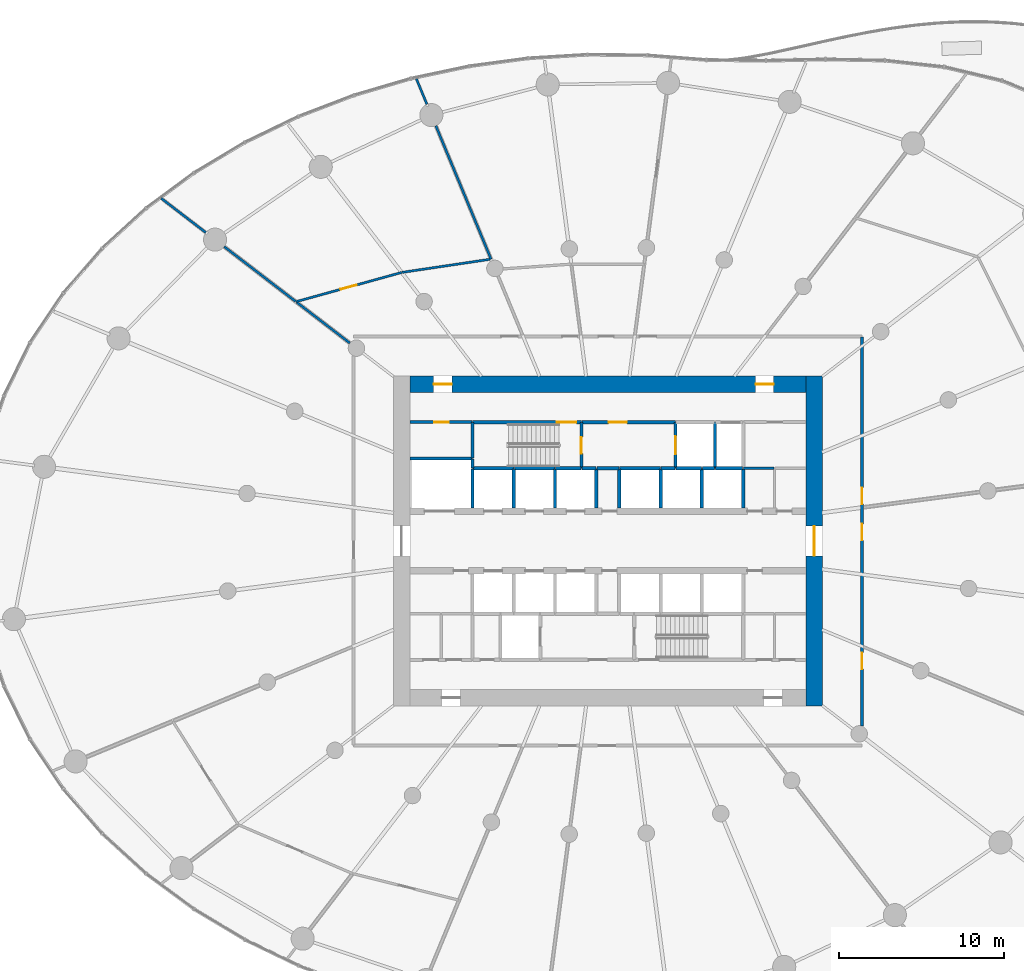
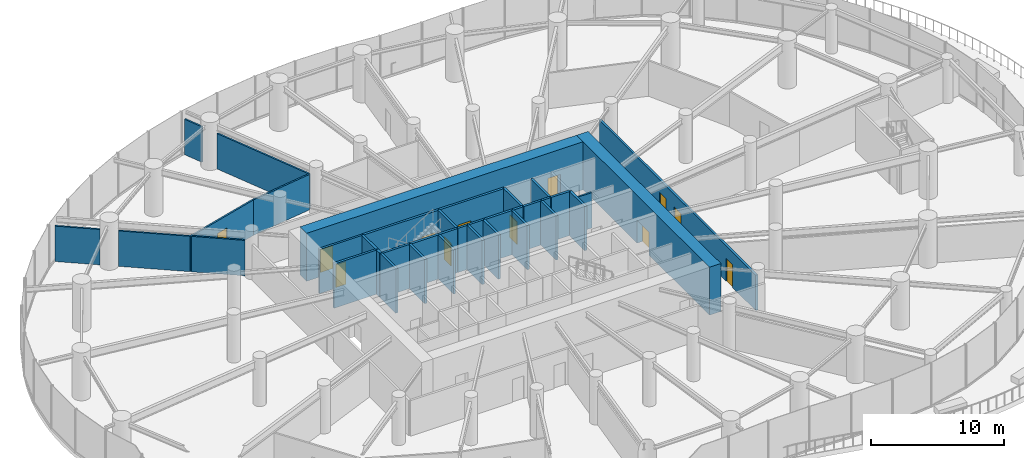
# One storey, part 13 of 19: 38 walls, 12 doors, 12 openings.
"""IFC4 building model written with IfcOpenShell, lengths in metres."""

from ifc_helpers import new_model, si_unit, direction, frame, frame_2d, origin, place, context, subcontext, project, spatial, rectangle, extrude, source, transform, mapped, material, layer, layer_set, type_object, element, fill, save


model = new_model("IFC4")

# Units and contexts
model_context = context("Model", 3, precision=1e-05, world=origin(), true_north=direction((0.0, 1.0)))
body_context = subcontext(model_context, "Body", "Model", "MODEL_VIEW")
ifc_project = project(units=[si_unit("LENGTHUNIT", "METRE"), si_unit("AREAUNIT", "SQUARE_METRE"), si_unit("VOLUMEUNIT", "CUBIC_METRE"), si_unit("PLANEANGLEUNIT", "RADIAN"), si_unit("MASSUNIT", "GRAM", prefix="KILO")], contexts=[model_context])

# Site, building, storey
site_placement = place(None, origin())
site = spatial("IfcSite", under=ifc_project, at=site_placement, CompositionType="ELEMENT")
building_placement = place(site_placement, origin())
building = spatial("IfcBuilding", under=site, at=building_placement, Name="Spindrift Exchange Tower", CompositionType="ELEMENT")
storey_placement = place(building_placement, frame((0.0, 0.0, 13.800048828125)))
storey = spatial("IfcBuildingStorey", under=building, at=storey_placement, Name="L03", CompositionType="ELEMENT", Elevation=13.800048828125)

# Wall, opening, door
ifc_material_1 = material(Name="Concrete 80 MPa", Category="concrete")
ifc_layer_1 = layer(ifc_material_1, 1.0)
ifc_layer_set_1 = layer_set([ifc_layer_1], Name="RC Core Wall 1000 Concrete 80 MPa")
wall_type_1 = type_object("IfcWallType", Name="RC Core Wall 1000 Concrete 80 MPa", PredefinedType="SHEAR", material=ifc_layer_set_1)
wall_1_placement = place(storey_placement, frame((64.5, 38.0, 0.0), z_axis=(0.0, 0.0, 1.0), x_axis=(0.0, 1.0, 0.0)))
wall_1 = element("IfcWall", 1, at=wall_1_placement, inside=storey, type_object=wall_type_1, Name="Core wall E L03", PredefinedType="SHEAR", context=body_context, shape_type="SweptSolid", body=[
    extrude(rectangle(XDim=20.0, YDim=1.0, at=frame_2d((10.0, 0.0))), origin(), (0.0, 0.0, 1.0), 4.39990234375),
])
opening_1_placement = place(wall_1_placement, frame((9.10009765625, 0.0, 0.0)))
opening_1 = element("IfcOpeningElement", 2, at=opening_1_placement, cuts=wall_1, Name="Opening L03-D2", PredefinedType="OPENING", context=body_context, shape_type="SweptSolid", body=[
    extrude(rectangle(XDim=1.800048828125, YDim=2.10009765625, at=frame_2d((0.89990234375, 1.050048828125))), frame((0.0, 0.510009765625, 0.0), z_axis=(0.0, -1.0, 0.0), x_axis=(1.0, 0.0, 0.0)), (0.0, 0.0, 1.0), 1.02001953125),
])
ifc_material_2 = material(Name="Timber-core fire door", Category="wood")
door_type_1 = type_object("IfcDoorType", Name="DR-LOBBY-1800", OperationType="NOTDEFINED", PredefinedType="DOOR", material=ifc_material_2)
shared_shape_1 = source(origin(), body_context, "Body", "SweptSolid", [
    extrude(rectangle(XDim=1.800048828125, YDim=2.10009765625, at=frame_2d((0.89990234375, 1.050048828125))), frame((0.0, 0.02490234375, 0.0), z_axis=(0.0, -1.0, 0.0), x_axis=(1.0, 0.0, 0.0)), (0.0, 0.0, 1.0), 0.050048828125),
])
door_1_placement = place(opening_1_placement, origin())
door_1 = element("IfcDoor", 3, at=door_1_placement, inside=storey, type_object=door_type_1, Name="L03 Lobby door 2", OperationType="SINGLE_SWING_RIGHT", OverallHeight=2.10009765625, OverallWidth=1.800048828125, PredefinedType="DOOR", context=body_context, shape_type="MappedRepresentation", body=[
    mapped(shared_shape_1, transform((0.0, 0.0, 0.0), scale=1.0)),
])
fill(opening_1, door_1)

# Wall, openings, doors
wall_2_placement = place(storey_placement, frame((64.0, 57.5, 0.0), z_axis=(0.0, 0.0, 1.0), x_axis=(-1.0, 0.0, 0.0)))
wall_2 = element("IfcWall", 4, at=wall_2_placement, inside=storey, type_object=wall_type_1, Name="Core wall N L03", PredefinedType="SHEAR", context=body_context, shape_type="SweptSolid", body=[
    extrude(rectangle(XDim=24.0, YDim=1.0, at=frame_2d((12.0, 0.0))), origin(), (0.0, 0.0, 1.0), 4.39990234375),
])
opening_2_placement = place(wall_2_placement, frame((21.449951171875, 0.0, 0.0)))
opening_2 = element("IfcOpeningElement", 5, at=opening_2_placement, cuts=wall_2, Name="Opening L03-D20", PredefinedType="OPENING", context=body_context, shape_type="SweptSolid", body=[
    extrude(rectangle(XDim=1.10009765625, YDim=2.10009765625, at=frame_2d((0.550048828125, 1.050048828125))), frame((0.0, 0.510009765625, 0.0), z_axis=(0.0, -1.0, 0.0), x_axis=(1.0, 0.0, 0.0)), (0.0, 0.0, 1.0), 1.02001953125),
])
opening_3_placement = place(wall_2_placement, frame((1.949951171875, 0.0, 0.0)))
opening_3 = element("IfcOpeningElement", 6, at=opening_3_placement, cuts=wall_2, Name="Opening L03-D21", PredefinedType="OPENING", context=body_context, shape_type="SweptSolid", body=[
    extrude(rectangle(XDim=1.10009765625, YDim=2.10009765625, at=frame_2d((0.550048828125, 1.050048828125))), frame((0.0, 0.510009765625, 0.0), z_axis=(0.0, -1.0, 0.0), x_axis=(1.0, 0.0, 0.0)), (0.0, 0.0, 1.0), 1.02001953125),
])
ifc_material_3 = material(Name="Steel fire door", Category="steel")
door_type_2 = type_object("IfcDoorType", Name="DR-STAIR-1100", OperationType="NOTDEFINED", PredefinedType="DOOR", material=ifc_material_3)
shared_shape_2 = source(origin(), body_context, "Body", "SweptSolid", [
    extrude(rectangle(XDim=1.10009765625, YDim=2.10009765625, at=frame_2d((0.550048828125, 1.050048828125))), frame((0.0, 0.02490234375, 0.0), z_axis=(0.0, -1.0, 0.0), x_axis=(1.0, 0.0, 0.0)), (0.0, 0.0, 1.0), 0.050048828125),
])
door_2_placement = place(opening_2_placement, origin())
door_2 = element("IfcDoor", 7, at=door_2_placement, inside=storey, type_object=door_type_2, Name="L03 Stair door 20", OperationType="SINGLE_SWING_RIGHT", OverallHeight=2.10009765625, OverallWidth=1.10009765625, PredefinedType="DOOR", context=body_context, shape_type="MappedRepresentation", body=[
    mapped(shared_shape_2, transform((0.0, 0.0, 0.0), scale=1.0)),
])
fill(opening_2, door_2)
door_3_placement = place(opening_3_placement, origin())
door_3 = element("IfcDoor", 8, at=door_3_placement, inside=storey, type_object=door_type_2, Name="L03 Stair door 21", OperationType="SINGLE_SWING_LEFT", OverallHeight=2.10009765625, OverallWidth=1.10009765625, PredefinedType="DOOR", context=body_context, shape_type="MappedRepresentation", body=[
    mapped(shared_shape_2, transform((0.0, 0.0, 0.0), scale=1.0)),
])
fill(opening_3, door_3)

ifc_material_4 = material(Name="Fire-rated plasterboard partition", Category="gypsum")
ifc_layer_2 = layer(ifc_material_4, 0.179931640625)
ifc_layer_set_2 = layer_set([ifc_layer_2], Name="W-CORR-180")
wall_type_2 = type_object("IfcWallType", Name="W-CORR-180", PredefinedType="PARTITIONING", material=ifc_layer_set_2)
wall_3_placement = place(storey_placement, frame((67.39990234375, 60.3701171875, 0.0), z_axis=(0.0, 0.0, 1.0), x_axis=(0.0, -1.0, 0.0)))
wall_3 = element("IfcWall", 9, at=wall_3_placement, inside=storey, type_object=wall_type_2, Name="L03 Partition wall 63", PredefinedType="PARTITIONING", context=body_context, shape_type="SweptSolid", body=[
    extrude(rectangle(XDim=23.58251953125, YDim=0.179931640625, at=frame_2d((11.791259765625, 0.0))), origin(), (0.0, 0.0, 1.0), 3.25),
])
opening_4_placement = place(wall_3_placement, frame((11.33251953125, 0.0, 0.0)))
opening_4 = element("IfcOpeningElement", 10, at=opening_4_placement, cuts=wall_3, Name="Opening L03-D24", PredefinedType="OPENING", context=body_context, shape_type="SweptSolid", body=[
    extrude(rectangle(XDim=1.0, YDim=2.10009765625, at=frame_2d((0.5, 1.050048828125))), frame((0.0, 0.099853515625, 0.0), z_axis=(0.0, -1.0, 0.0), x_axis=(1.0, 0.0, 0.0)), (0.0, 0.0, 1.0), 0.199951171875),
])
opening_5_placement = place(wall_3_placement, frame((9.132568359375, 0.0, 0.0)))
opening_5 = element("IfcOpeningElement", 11, at=opening_5_placement, cuts=wall_3, Name="Opening L03-D25", PredefinedType="OPENING", context=body_context, shape_type="SweptSolid", body=[
    extrude(rectangle(XDim=1.0, YDim=2.10009765625, at=frame_2d((0.5, 1.050048828125))), frame((0.0, 0.099853515625, 0.0), z_axis=(0.0, -1.0, 0.0), x_axis=(1.0, 0.0, 0.0)), (0.0, 0.0, 1.0), 0.199951171875),
])
opening_6_placement = place(wall_3_placement, frame((19.132568359375, 0.0, 0.0)))
opening_6 = element("IfcOpeningElement", 12, at=opening_6_placement, cuts=wall_3, Name="Opening L03-D40", PredefinedType="OPENING", context=body_context, shape_type="SweptSolid", body=[
    extrude(rectangle(XDim=1.0, YDim=2.10009765625, at=frame_2d((0.5, 1.050048828125))), frame((0.0, 0.099853515625, 0.0), z_axis=(0.0, -1.0, 0.0), x_axis=(1.0, 0.0, 0.0)), (0.0, 0.0, 1.0), 0.199951171875),
])
door_type_3 = type_object("IfcDoorType", Name="DR-ROOM-1000", OperationType="NOTDEFINED", PredefinedType="DOOR", material=ifc_material_2)
shared_shape_3 = source(origin(), body_context, "Body", "SweptSolid", [
    extrude(rectangle(XDim=1.0, YDim=2.10009765625, at=frame_2d((0.5, 1.050048828125))), frame((0.0, 0.02490234375, 0.0), z_axis=(0.0, -1.0, 0.0), x_axis=(1.0, 0.0, 0.0)), (0.0, 0.0, 1.0), 0.050048828125),
])
door_4_placement = place(opening_4_placement, origin())
door_4 = element("IfcDoor", 13, at=door_4_placement, inside=storey, type_object=door_type_3, Name="L03 Door 24", OperationType="SINGLE_SWING_RIGHT", OverallHeight=2.10009765625, OverallWidth=1.0, PredefinedType="DOOR", context=body_context, shape_type="MappedRepresentation", body=[
    mapped(shared_shape_3, transform((0.0, 0.0, 0.0), scale=1.0)),
])
fill(opening_4, door_4)
door_5_placement = place(opening_5_placement, origin())
door_5 = element("IfcDoor", 14, at=door_5_placement, inside=storey, type_object=door_type_3, Name="L03 Door 25", OperationType="SINGLE_SWING_LEFT", OverallHeight=2.10009765625, OverallWidth=1.0, PredefinedType="DOOR", context=body_context, shape_type="MappedRepresentation", body=[
    mapped(shared_shape_3, transform((0.0, 0.0, 0.0), scale=1.0)),
])
fill(opening_5, door_5)
door_6_placement = place(opening_6_placement, origin())
door_6 = element("IfcDoor", 15, at=door_6_placement, inside=storey, type_object=door_type_3, Name="L03 Door 40", OperationType="SINGLE_SWING_RIGHT", OverallHeight=2.10009765625, OverallWidth=1.0, PredefinedType="DOOR", context=body_context, shape_type="MappedRepresentation", body=[
    mapped(shared_shape_3, transform((0.0, 0.0, 0.0), scale=1.0)),
])
fill(opening_6, door_6)

# Wall, opening, door
wall_4_placement = place(storey_placement, frame((43.77001953125, 55.199951171875, 0.0), z_axis=(0.0, 0.0, 1.0), x_axis=(-1.0, 0.0, 0.0)))
wall_4 = element("IfcWall", 16, at=wall_4_placement, inside=storey, type_object=wall_type_2, Name="L03 Partition wall 66", PredefinedType="PARTITIONING", context=body_context, shape_type="SweptSolid", body=[
    extrude(rectangle(XDim=3.75, YDim=0.179931640625, at=frame_2d((1.875, 0.0))), origin(), (0.0, 0.0, 1.0), 4.050048828125),
])
opening_7_placement = place(wall_4_placement, frame((1.39990234375, 0.0, 0.0)))
opening_7 = element("IfcOpeningElement", 17, at=opening_7_placement, cuts=wall_4, Name="Opening L03-D42", PredefinedType="OPENING", context=body_context, shape_type="SweptSolid", body=[
    extrude(rectangle(XDim=0.89990234375, YDim=2.10009765625, at=frame_2d((0.449951171875, 1.050048828125))), frame((0.0, 0.099853515625, 0.0), z_axis=(0.0, -1.0, 0.0), x_axis=(1.0, 0.0, 0.0)), (0.0, 0.0, 1.0), 0.199951171875),
])
ifc_material_5 = material(Name="Steel access door", Category="steel")
door_type_4 = type_object("IfcDoorType", Name="DR-RISER-900", OperationType="NOTDEFINED", PredefinedType="DOOR", material=ifc_material_5)
shared_shape_4 = source(origin(), body_context, "Body", "SweptSolid", [
    extrude(rectangle(XDim=0.89990234375, YDim=2.10009765625, at=frame_2d((0.449951171875, 1.050048828125))), frame((0.0, 0.02490234375, 0.0), z_axis=(0.0, -1.0, 0.0), x_axis=(1.0, 0.0, 0.0)), (0.0, 0.0, 1.0), 0.050048828125),
])
door_7_placement = place(opening_7_placement, origin())
door_7 = element("IfcDoor", 18, at=door_7_placement, inside=storey, type_object=door_type_4, Name="L03 Riser door 42", OperationType="SINGLE_SWING_RIGHT", OverallHeight=2.10009765625, OverallWidth=0.89990234375, PredefinedType="DOOR", context=body_context, shape_type="MappedRepresentation", body=[
    mapped(shared_shape_4, transform((0.0, 0.0, 0.0), scale=1.0)),
])
fill(opening_7, door_7)

# Walls
ifc_layer_3 = layer(ifc_material_4, 0.139892578125)
ifc_layer_set_3 = layer_set([ifc_layer_3], Name="W-PART-140")
wall_type_3 = type_object("IfcWallType", Name="W-PART-140", PredefinedType="PARTITIONING", material=ifc_layer_set_3)
wall_5_placement = place(storey_placement, frame((33.078369140625, 62.51904296875, 0.0), z_axis=(0.0, 0.0, 1.0), x_axis=(-0.793366729699, 0.608743979196, 0.0)))
element("IfcWall", 19, at=wall_5_placement, inside=storey, type_object=wall_type_3, Name="L03 Partition wall 86", PredefinedType="PARTITIONING", context=body_context, shape_type="SweptSolid", body=[
    extrude(rectangle(XDim=5.445556640625, YDim=0.139892578125, at=frame_2d((2.72265625, 0.0))), origin(), (0.0, 0.0, 1.0), 3.25),
])
wall_6_placement = place(storey_placement, frame((27.640625, 66.69140625, 0.0), z_axis=(0.0, 0.0, 1.0), x_axis=(-0.793332688102, 0.60878834252, 0.0)))
element("IfcWall", 20, at=wall_6_placement, inside=storey, type_object=wall_type_3, Name="L03 Partition wall 106", PredefinedType="PARTITIONING", context=body_context, shape_type="SweptSolid", body=[
    extrude(rectangle(XDim=3.40380859375, YDim=0.139892578125, at=frame_2d((1.701904296875, 0.0))), origin(), (0.0, 0.0, 1.0), 3.25),
])
wall_7_placement = place(storey_placement, frame((62.070068359375, 52.39990234375, 0.0), z_axis=(0.0, 0.0, 1.0), x_axis=(-1.0, 0.0, 0.0)))
element("IfcWall", 21, at=wall_7_placement, inside=storey, type_object=wall_type_3, Name="L03 Partition wall 115", PredefinedType="PARTITIONING", context=body_context, shape_type="SweptSolid", body=[
    extrude(rectangle(XDim=1.840087890625, YDim=0.139892578125, at=frame_2d((0.919921875, 0.0))), origin(), (0.0, 0.0, 1.0), 3.25),
])
ifc_layer_4 = layer(ifc_material_4, 0.139892578125)
ifc_layer_set_4 = layer_set([ifc_layer_4], Name="W-PLANT-140")
wall_type_4 = type_object("IfcWallType", Name="W-PLANT-140", PredefinedType="PARTITIONING", material=ifc_layer_set_4)
wall_8_placement = place(storey_placement, frame((44.9248046875, 65.081298828125, 0.0), z_axis=(0.0, 0.0, 1.0), x_axis=(-0.382688905141, 0.923877265594, 0.0)))
element("IfcWall", 22, at=wall_8_placement, inside=storey, type_object=wall_type_4, Name="L03 Partition wall 73", PredefinedType="PARTITIONING", context=body_context, shape_type="SweptSolid", body=[
    extrude(rectangle(XDim=8.741455078125, YDim=0.139892578125, at=frame_2d((4.37060546875, 0.0))), origin(), (0.0, 0.0, 1.0), 3.25),
])

# Wall, opening, door
wall_9_placement = place(storey_placement, frame((33.10205078125, 62.5009765625, 0.0), z_axis=(0.0, 0.0, 1.0), x_axis=(0.963795064715, 0.266644094687, 0.0)))
wall_9 = element("IfcWall", 23, at=wall_9_placement, inside=storey, type_object=wall_type_4, Name="L03 Partition wall 82", PredefinedType="PARTITIONING", context=body_context, shape_type="SweptSolid", body=[
    extrude(rectangle(XDim=6.65087890625, YDim=0.139892578125, at=frame_2d((3.325439453125, 0.0))), origin(), (0.0, 0.0, 1.0), 3.25),
])
opening_8_placement = place(wall_9_placement, frame((2.801025390625, 0.0, 0.0)))
opening_8 = element("IfcOpeningElement", 24, at=opening_8_placement, cuts=wall_9, Name="Opening L03-D31", PredefinedType="OPENING", context=body_context, shape_type="SweptSolid", body=[
    extrude(rectangle(XDim=1.0, YDim=2.10009765625, at=frame_2d((0.5, 1.050048828125))), frame((0.0, 0.079833984375, 0.0), z_axis=(0.0, -1.0, 0.0), x_axis=(1.0, 0.0, 0.0)), (0.0, 0.0, 1.0), 0.159912109375),
])
door_8_placement = place(opening_8_placement, origin())
door_8 = element("IfcDoor", 25, at=door_8_placement, inside=storey, type_object=door_type_3, Name="L03 Door 31", OperationType="SINGLE_SWING_LEFT", OverallHeight=2.10009765625, OverallWidth=1.0, PredefinedType="DOOR", context=body_context, shape_type="MappedRepresentation", body=[
    mapped(shared_shape_3, transform((0.0, 0.0, 0.0), scale=1.0)),
])
fill(opening_8, door_8)

# Walls
wall_10_placement = place(storey_placement, frame((44.853515625, 65.070556640625, 0.0), z_axis=(0.0, 0.0, 1.0), x_axis=(-0.989071989563, -0.147433372962, 0.0)))
element("IfcWall", 26, at=wall_10_placement, inside=storey, type_object=wall_type_4, Name="L03 Partition wall 87", PredefinedType="PARTITIONING", context=body_context, shape_type="SweptSolid", body=[
    extrude(rectangle(XDim=5.3701171875, YDim=0.139892578125, at=frame_2d((2.68505859375, 0.0))), origin(), (0.0, 0.0, 1.0), 3.25),
])
wall_11_placement = place(storey_placement, frame((36.367431640625, 59.995361328125, 0.0), z_axis=(0.0, 0.0, 1.0), x_axis=(-0.793362422365, 0.608749592837, 0.0)))
element("IfcWall", 27, at=wall_11_placement, inside=storey, type_object=wall_type_4, Name="L03 Partition wall 103", PredefinedType="PARTITIONING", context=body_context, shape_type="SweptSolid", body=[
    extrude(rectangle(XDim=4.028076171875, YDim=0.139892578125, at=frame_2d((2.01416015625, 0.0))), origin(), (0.0, 0.0, 1.0), 3.25),
])
wall_12_placement = place(storey_placement, frame((41.039794921875, 74.4599609375, 0.0), z_axis=(0.0, 0.0, 1.0), x_axis=(-0.382571117301, 0.923926046936, 0.0)))
element("IfcWall", 28, at=wall_12_placement, inside=storey, type_object=wall_type_4, Name="L03 Partition wall 119", PredefinedType="PARTITIONING", context=body_context, shape_type="SweptSolid", body=[
    extrude(rectangle(XDim=1.67138671875, YDim=0.139892578125, at=frame_2d((0.835693359375, 0.0))), origin(), (0.0, 0.0, 1.0), 3.25),
])

# Wall, opening, door
ifc_material_6 = material(Name="Concrete 40 MPa", Category="concrete")
ifc_layer_5 = layer(ifc_material_6, 0.199951171875)
ifc_layer_set_5 = layer_set([ifc_layer_5], Name="W-SHAFT-200")
wall_type_5 = type_object("IfcWallType", Name="W-SHAFT-200", PredefinedType="SOLIDWALL", material=ifc_layer_set_5)
wall_13_placement = place(storey_placement, frame((56.10009765625, 55.169921875, 0.0), z_axis=(0.0, 0.0, 1.0), x_axis=(0.0, -1.0, 0.0)))
wall_13 = element("IfcWall", 29, at=wall_13_placement, inside=storey, type_object=wall_type_5, Name="L03 Shaft wall 14", PredefinedType="SOLIDWALL", context=body_context, shape_type="SweptSolid", body=[
    extrude(rectangle(XDim=2.77001953125, YDim=0.199951171875, at=frame_2d((1.385009765625, 0.0))), origin(), (0.0, 0.0, 1.0), 4.050048828125),
])
opening_9_placement = place(wall_13_placement, frame((0.820068359375, 0.0, 0.0)))
opening_9 = element("IfcOpeningElement", 30, at=opening_9_placement, cuts=wall_13, Name="Opening L03-D9", PredefinedType="OPENING", context=body_context, shape_type="SweptSolid", body=[
    extrude(rectangle(XDim=1.10009765625, YDim=2.10009765625, at=frame_2d((0.550048828125, 1.050048828125))), frame((0.0, 0.10986328125, 0.0), z_axis=(0.0, -1.0, 0.0), x_axis=(1.0, 0.0, 0.0)), (0.0, 0.0, 1.0), 0.219970703125),
])
ifc_material_7 = material(Name="Stainless steel landing door", Category="steel")
door_type_5 = type_object("IfcDoorType", Name="DR-LANDING-1100-SL", OperationType="DOUBLE_DOOR_SLIDING", PredefinedType="USERDEFINED", material=ifc_material_7)
shared_shape_5 = source(origin(), body_context, "Body", "SweptSolid", [
    extrude(rectangle(XDim=1.10009765625, YDim=2.10009765625, at=frame_2d((0.550048828125, 1.050048828125))), frame((0.0, 0.02490234375, 0.0), z_axis=(0.0, -1.0, 0.0), x_axis=(1.0, 0.0, 0.0)), (0.0, 0.0, 1.0), 0.050048828125),
])
door_9_placement = place(opening_9_placement, origin())
door_9 = element("IfcDoor", 31, at=door_9_placement, inside=storey, type_object=door_type_5, Name="L03 Lift landing door 9", ObjectType="LANDING DOOR", OperationType="DOUBLE_DOOR_SLIDING", OverallHeight=2.10009765625, OverallWidth=1.10009765625, PredefinedType="USERDEFINED", context=body_context, shape_type="MappedRepresentation", body=[
    mapped(shared_shape_5, transform((0.0, 0.0, 0.0), scale=1.0)),
])
fill(opening_9, door_9)

# Walls
wall_14_placement = place(storey_placement, frame((58.5, 52.39990234375, 0.0), z_axis=(0.0, 0.0, 1.0), x_axis=(0.0, 1.0, 0.0)))
element("IfcWall", 32, at=wall_14_placement, inside=storey, type_object=wall_type_5, Name="L03 Shaft wall 15", PredefinedType="SOLIDWALL", context=body_context, shape_type="SweptSolid", body=[
    extrude(rectangle(XDim=2.800048828125, YDim=0.199951171875, at=frame_2d((1.39990234375, 0.0))), origin(), (0.0, 0.0, 1.0), 4.050048828125),
])
wall_15_placement = place(storey_placement, frame((55.199951171875, 52.39990234375, 0.0), z_axis=(0.0, 0.0, 1.0), x_axis=(-1.0, 0.0, 0.0)))
element("IfcWall", 33, at=wall_15_placement, inside=storey, type_object=wall_type_5, Name="L03 Shaft wall 22", PredefinedType="SOLIDWALL", context=body_context, shape_type="SweptSolid", body=[
    extrude(rectangle(XDim=2.5, YDim=0.199951171875, at=frame_2d((1.25, 0.0))), origin(), (0.0, 0.0, 1.0), 4.050048828125),
])
wall_16_placement = place(storey_placement, frame((51.300048828125, 50.010009765625, 0.0), z_axis=(0.0, 0.0, 1.0), x_axis=(0.0, 1.0, 0.0)))
element("IfcWall", 34, at=wall_16_placement, inside=storey, type_object=wall_type_5, Name="L03 Shaft wall 34", PredefinedType="SOLIDWALL", context=body_context, shape_type="SweptSolid", body=[
    extrude(rectangle(XDim=2.389892578125, YDim=0.199951171875, at=frame_2d((1.19482421875, 0.0))), origin(), (0.0, 0.0, 1.0), 4.050048828125),
])
for number, where, z_axis, x_axis, name in (
    (35, (52.699951171875, 52.3701171875, 0.0), (0.0, 0.0, 1.0), (0.0, -1.0, 0.0), "L03 Shaft wall 36"),
    (36, (55.199951171875, 50.010009765625, 0.0), (0.0, 0.0, 1.0), (0.0, 1.0, 0.0), "L03 Shaft wall 38"),
):
    element("IfcWall", number, at=place(storey_placement, frame(where, z_axis=z_axis, x_axis=x_axis)), inside=storey, type_object=wall_type_5, Name=name, PredefinedType="SOLIDWALL", context=body_context, shape_type="SweptSolid", body=[
        extrude(rectangle(XDim=2.360107421875, YDim=0.199951171875, at=frame_2d((1.18017578125, 0.0))), origin(), (0.0, 0.0, 1.0), 4.050048828125),
    ])
wall_17_placement = place(storey_placement, frame((57.699951171875, 50.010009765625, 0.0), z_axis=(0.0, 0.0, 1.0), x_axis=(0.0, 1.0, 0.0)))
element("IfcWall", 37, at=wall_17_placement, inside=storey, type_object=wall_type_5, Name="L03 Shaft wall 40", PredefinedType="SOLIDWALL", context=body_context, shape_type="SweptSolid", body=[
    extrude(rectangle(XDim=2.389892578125, YDim=0.199951171875, at=frame_2d((1.19482421875, 0.0))), origin(), (0.0, 0.0, 1.0), 4.050048828125),
])
wall_18_placement = place(storey_placement, frame((60.199951171875, 50.010009765625, 0.0), z_axis=(0.0, 0.0, 1.0), x_axis=(0.0, 1.0, 0.0)))
element("IfcWall", 38, at=wall_18_placement, inside=storey, type_object=wall_type_5, Name="L03 Shaft wall 42", PredefinedType="SOLIDWALL", context=body_context, shape_type="SweptSolid", body=[
    extrude(rectangle(XDim=2.360107421875, YDim=0.199951171875, at=frame_2d((1.18017578125, 0.0))), origin(), (0.0, 0.0, 1.0), 4.050048828125),
])
wall_19_placement = place(storey_placement, frame((60.169921875, 52.39990234375, 0.0), z_axis=(0.0, 0.0, 1.0), x_axis=(-1.0, 0.0, 0.0)))
element("IfcWall", 39, at=wall_19_placement, inside=storey, type_object=wall_type_5, Name="L03 Shaft wall 46", PredefinedType="SOLIDWALL", context=body_context, shape_type="SweptSolid", body=[
    extrude(rectangle(XDim=1.639892578125, YDim=0.199951171875, at=frame_2d((0.81982421875, 0.0))), origin(), (0.0, 0.0, 1.0), 4.050048828125),
])
wall_20_placement = place(storey_placement, frame((57.669921875, 52.39990234375, 0.0), z_axis=(0.0, 0.0, 1.0), x_axis=(-1.0, 0.0, 0.0)))
element("IfcWall", 40, at=wall_20_placement, inside=storey, type_object=wall_type_5, Name="L03 Shaft wall 51", PredefinedType="SOLIDWALL", context=body_context, shape_type="SweptSolid", body=[
    extrude(rectangle(XDim=1.5400390625, YDim=0.199951171875, at=frame_2d((0.77001953125, 0.0))), origin(), (0.0, 0.0, 1.0), 4.050048828125),
])
wall_21_placement = place(storey_placement, frame((51.330078125, 52.39990234375, 0.0), z_axis=(0.0, 0.0, 1.0), x_axis=(1.0, 0.0, 0.0)))
element("IfcWall", 41, at=wall_21_placement, inside=storey, type_object=wall_type_5, Name="L03 Shaft wall 53", PredefinedType="SOLIDWALL", context=body_context, shape_type="SweptSolid", body=[
    extrude(rectangle(XDim=1.33984375, YDim=0.199951171875, at=frame_2d((0.669921875, 0.0))), origin(), (0.0, 0.0, 1.0), 4.050048828125),
])
wall_22_placement = place(storey_placement, frame((56.070068359375, 52.39990234375, 0.0), z_axis=(0.0, 0.0, 1.0), x_axis=(-1.0, 0.0, 0.0)))
element("IfcWall", 42, at=wall_22_placement, inside=storey, type_object=wall_type_5, Name="L03 Shaft wall 57", PredefinedType="SOLIDWALL", context=body_context, shape_type="SweptSolid", body=[
    extrude(rectangle(XDim=0.840087890625, YDim=0.199951171875, at=frame_2d((0.419921875, 0.0))), origin(), (0.0, 0.0, 1.0), 4.050048828125),
])
wall_23_placement = place(storey_placement, frame((58.469970703125, 52.39990234375, 0.0), z_axis=(0.0, 0.0, 1.0), x_axis=(-1.0, 0.0, 0.0)))
element("IfcWall", 43, at=wall_23_placement, inside=storey, type_object=wall_type_5, Name="L03 Shaft wall 59", PredefinedType="SOLIDWALL", context=body_context, shape_type="SweptSolid", body=[
    extrude(rectangle(XDim=0.739990234375, YDim=0.199951171875, at=frame_2d((0.3701171875, 0.0))), origin(), (0.0, 0.0, 1.0), 4.050048828125),
])

# Wall, opening, door
ifc_layer_6 = layer(ifc_material_6, 0.199951171875)
ifc_layer_set_6 = layer_set([ifc_layer_6], Name="W-SHAFT-200-LB")
wall_type_6 = type_object("IfcWallType", Name="W-SHAFT-200-LB", PredefinedType="SOLIDWALL", material=ifc_layer_set_6)
wall_24_placement = place(storey_placement, frame((50.39990234375, 55.199951171875, 0.0), z_axis=(0.0, 0.0, 1.0), x_axis=(-1.0, 0.0, 0.0)))
wall_24 = element("IfcWall", 44, at=wall_24_placement, inside=storey, type_object=wall_type_6, Name="L03 Shaft wall 1", PredefinedType="SOLIDWALL", context=body_context, shape_type="SweptSolid", body=[
    extrude(rectangle(XDim=6.599853515625, YDim=0.199951171875, at=frame_2d((3.2998046875, 0.0))), origin(), (0.0, 0.0, 1.0), 4.050048828125),
])
opening_10_placement = place(wall_24_placement, frame((0.300048828125, 0.0, 0.0)))
opening_10 = element("IfcOpeningElement", 45, at=opening_10_placement, cuts=wall_24, Name="Opening L03-D13", PredefinedType="OPENING", context=body_context, shape_type="SweptSolid", body=[
    extrude(rectangle(XDim=1.199951171875, YDim=2.10009765625, at=frame_2d((0.60009765625, 1.050048828125))), frame((0.0, 0.10986328125, 0.0), z_axis=(0.0, -1.0, 0.0), x_axis=(1.0, 0.0, 0.0)), (0.0, 0.0, 1.0), 0.219970703125),
])
door_type_6 = type_object("IfcDoorType", Name="DR-STAIR-1200", OperationType="NOTDEFINED", PredefinedType="DOOR", material=ifc_material_3)
shared_shape_6 = source(origin(), body_context, "Body", "SweptSolid", [
    extrude(rectangle(XDim=1.199951171875, YDim=2.10009765625, at=frame_2d((0.60009765625, 1.050048828125))), frame((0.0, 0.02490234375, 0.0), z_axis=(0.0, -1.0, 0.0), x_axis=(1.0, 0.0, 0.0)), (0.0, 0.0, 1.0), 0.050048828125),
])
door_10_placement = place(opening_10_placement, origin())
door_10 = element("IfcDoor", 46, at=door_10_placement, inside=storey, type_object=door_type_6, Name="L03 Stair door 13", OperationType="SINGLE_SWING_LEFT", OverallHeight=2.10009765625, OverallWidth=1.199951171875, PredefinedType="DOOR", context=body_context, shape_type="MappedRepresentation", body=[
    mapped(shared_shape_6, transform((0.0, 0.0, 0.0), scale=1.0)),
])
fill(opening_10, door_10)

wall_25_placement = place(storey_placement, frame((56.10009765625, 55.199951171875, 0.0), z_axis=(0.0, 0.0, 1.0), x_axis=(-1.0, 0.0, 0.0)))
wall_25 = element("IfcWall", 47, at=wall_25_placement, inside=storey, type_object=wall_type_6, Name="L03 Shaft wall 6", PredefinedType="SOLIDWALL", context=body_context, shape_type="SweptSolid", body=[
    extrude(rectangle(XDim=5.670166015625, YDim=0.199951171875, at=frame_2d((2.8349609375, 0.0))), origin(), (0.0, 0.0, 1.0), 4.050048828125),
])
opening_11_placement = place(wall_25_placement, frame((2.949951171875, 0.0, 0.0)))
opening_11 = element("IfcOpeningElement", 48, at=opening_11_placement, cuts=wall_25, Name="Opening L03-D15", PredefinedType="OPENING", context=body_context, shape_type="SweptSolid", body=[
    extrude(rectangle(XDim=1.10009765625, YDim=2.10009765625, at=frame_2d((0.550048828125, 1.050048828125))), frame((0.0, 0.10986328125, 0.0), z_axis=(0.0, -1.0, 0.0), x_axis=(1.0, 0.0, 0.0)), (0.0, 0.0, 1.0), 0.219970703125),
])
door_type_7 = type_object("IfcDoorType", Name="DR-LOBBY-1100", OperationType="NOTDEFINED", PredefinedType="DOOR", material=ifc_material_2)
shared_shape_7 = source(origin(), body_context, "Body", "SweptSolid", [
    extrude(rectangle(XDim=1.10009765625, YDim=2.10009765625, at=frame_2d((0.550048828125, 1.050048828125))), frame((0.0, 0.02490234375, 0.0), z_axis=(0.0, -1.0, 0.0), x_axis=(1.0, 0.0, 0.0)), (0.0, 0.0, 1.0), 0.050048828125),
])
door_11_placement = place(opening_11_placement, origin())
door_11 = element("IfcDoor", 49, at=door_11_placement, inside=storey, type_object=door_type_7, Name="L03 Lobby door 15", OperationType="SINGLE_SWING_LEFT", OverallHeight=2.10009765625, OverallWidth=1.10009765625, PredefinedType="DOOR", context=body_context, shape_type="MappedRepresentation", body=[
    mapped(shared_shape_7, transform((0.0, 0.0, 0.0), scale=1.0)),
])
fill(opening_11, door_11)

# Wall
wall_26_placement = place(storey_placement, frame((43.800048828125, 53.0, 0.0), z_axis=(0.0, 0.0, 1.0), x_axis=(-1.0, 0.0, 0.0)))
element("IfcWall", 50, at=wall_26_placement, inside=storey, type_object=wall_type_6, Name="L03 Shaft wall 7", PredefinedType="SOLIDWALL", context=body_context, shape_type="SweptSolid", body=[
    extrude(rectangle(XDim=3.780029296875, YDim=0.199951171875, at=frame_2d((1.89013671875, 0.0))), origin(), (0.0, 0.0, 1.0), 4.050048828125),
])

# Wall, opening, door
wall_27_placement = place(storey_placement, frame((50.39990234375, 52.39990234375, 0.0), z_axis=(0.0, 0.0, 1.0), x_axis=(0.0, 1.0, 0.0)))
wall_27 = element("IfcWall", 51, at=wall_27_placement, inside=storey, type_object=wall_type_6, Name="L03 Shaft wall 11", PredefinedType="SOLIDWALL", context=body_context, shape_type="SweptSolid", body=[
    extrude(rectangle(XDim=2.77001953125, YDim=0.199951171875, at=frame_2d((1.385009765625, 0.0))), origin(), (0.0, 0.0, 1.0), 4.050048828125),
])
opening_12_placement = place(wall_27_placement, frame((0.89990234375, 0.0, 0.0)))
opening_12 = element("IfcOpeningElement", 52, at=opening_12_placement, cuts=wall_27, Name="Opening L03-D14", PredefinedType="OPENING", context=body_context, shape_type="SweptSolid", body=[
    extrude(rectangle(XDim=1.0, YDim=2.10009765625, at=frame_2d((0.5, 1.050048828125))), frame((0.0, 0.10986328125, 0.0), z_axis=(0.0, -1.0, 0.0), x_axis=(1.0, 0.0, 0.0)), (0.0, 0.0, 1.0), 0.219970703125),
])
door_type_8 = type_object("IfcDoorType", Name="DR-STAIR-1000", OperationType="NOTDEFINED", PredefinedType="DOOR", material=ifc_material_3)
shared_shape_8 = source(origin(), body_context, "Body", "SweptSolid", [
    extrude(rectangle(XDim=1.0, YDim=2.10009765625, at=frame_2d((0.5, 1.050048828125))), frame((0.0, 0.02490234375, 0.0), z_axis=(0.0, -1.0, 0.0), x_axis=(1.0, 0.0, 0.0)), (0.0, 0.0, 1.0), 0.050048828125),
])
door_12_placement = place(opening_12_placement, origin())
door_12 = element("IfcDoor", 53, at=door_12_placement, inside=storey, type_object=door_type_8, Name="L03 Stair door 14", OperationType="SINGLE_SWING_RIGHT", OverallHeight=2.10009765625, OverallWidth=1.0, PredefinedType="DOOR", context=body_context, shape_type="MappedRepresentation", body=[
    mapped(shared_shape_8, transform((0.0, 0.0, 0.0), scale=1.0)),
])
fill(opening_12, door_12)

# Walls
wall_28_placement = place(storey_placement, frame((46.300048828125, 52.39990234375, 0.0), z_axis=(0.0, 0.0, 1.0), x_axis=(-1.0, 0.0, 0.0)))
element("IfcWall", 54, at=wall_28_placement, inside=storey, type_object=wall_type_6, Name="L03 Shaft wall 19", PredefinedType="SOLIDWALL", context=body_context, shape_type="SweptSolid", body=[
    extrude(rectangle(XDim=2.5, YDim=0.199951171875, at=frame_2d((1.25, 0.0))), origin(), (0.0, 0.0, 1.0), 4.050048828125),
])
wall_29_placement = place(storey_placement, frame((48.800048828125, 52.39990234375, 0.0), z_axis=(0.0, 0.0, 1.0), x_axis=(-1.0, 0.0, 0.0)))
element("IfcWall", 55, at=wall_29_placement, inside=storey, type_object=wall_type_6, Name="L03 Shaft wall 20", PredefinedType="SOLIDWALL", context=body_context, shape_type="SweptSolid", body=[
    extrude(rectangle(XDim=2.469970703125, YDim=0.199951171875, at=frame_2d((1.23486328125, 0.0))), origin(), (0.0, 0.0, 1.0), 4.050048828125),
])
for number, where, z_axis, x_axis, name in (
    (56, (43.800048828125, 52.3701171875, 0.0), (0.0, 0.0, 1.0), (0.0, -1.0, 0.0), "L03 Shaft wall 28"),
    (57, (46.300048828125, 50.010009765625, 0.0), (0.0, 0.0, 1.0), (0.0, 1.0, 0.0), "L03 Shaft wall 30"),
    (58, (48.800048828125, 50.010009765625, 0.0), (0.0, 0.0, 1.0), (0.0, 1.0, 0.0), "L03 Shaft wall 32"),
):
    element("IfcWall", number, at=place(storey_placement, frame(where, z_axis=z_axis, x_axis=x_axis)), inside=storey, type_object=wall_type_6, Name=name, PredefinedType="SOLIDWALL", context=body_context, shape_type="SweptSolid", body=[
        extrude(rectangle(XDim=2.360107421875, YDim=0.199951171875, at=frame_2d((1.18017578125, 0.0))), origin(), (0.0, 0.0, 1.0), 4.050048828125),
    ])
wall_30_placement = place(storey_placement, frame((43.800048828125, 55.169921875, 0.0), z_axis=(0.0, 0.0, 1.0), x_axis=(0.0, -1.0, 0.0)))
element("IfcWall", 59, at=wall_30_placement, inside=storey, type_object=wall_type_6, Name="L03 Shaft wall 43", PredefinedType="SOLIDWALL", context=body_context, shape_type="SweptSolid", body=[
    extrude(rectangle(XDim=2.139892578125, YDim=0.199951171875, at=frame_2d((1.06982421875, 0.0))), origin(), (0.0, 0.0, 1.0), 4.050048828125),
])
wall_31_placement = place(storey_placement, frame((50.3701171875, 52.39990234375, 0.0), z_axis=(0.0, 0.0, 1.0), x_axis=(-1.0, 0.0, 0.0)))
element("IfcWall", 60, at=wall_31_placement, inside=storey, type_object=wall_type_6, Name="L03 Shaft wall 49", PredefinedType="SOLIDWALL", context=body_context, shape_type="SweptSolid", body=[
    extrude(rectangle(XDim=1.5400390625, YDim=0.199951171875, at=frame_2d((0.77001953125, 0.0))), origin(), (0.0, 0.0, 1.0), 4.050048828125),
])
wall_32_placement = place(storey_placement, frame((51.27001953125, 52.39990234375, 0.0), z_axis=(0.0, 0.0, 1.0), x_axis=(-1.0, 0.0, 0.0)))
element("IfcWall", 61, at=wall_32_placement, inside=storey, type_object=wall_type_6, Name="L03 Shaft wall 55", PredefinedType="SOLIDWALL", context=body_context, shape_type="SweptSolid", body=[
    extrude(rectangle(XDim=0.840087890625, YDim=0.199951171875, at=frame_2d((0.419921875, 0.0))), origin(), (0.0, 0.0, 1.0), 4.050048828125),
])
wall_33_placement = place(storey_placement, frame((43.800048828125, 52.429931640625, 0.0), z_axis=(0.0, 0.0, 1.0), x_axis=(0.0, 1.0, 0.0)))
element("IfcWall", 62, at=wall_33_placement, inside=storey, type_object=wall_type_6, Name="L03 Shaft wall 60", PredefinedType="SOLIDWALL", context=body_context, shape_type="SweptSolid", body=[
    extrude(rectangle(XDim=0.5400390625, YDim=0.199951171875, at=frame_2d((0.27001953125, 0.0))), origin(), (0.0, 0.0, 1.0), 4.050048828125),
])

save(model, "model.ifc")
